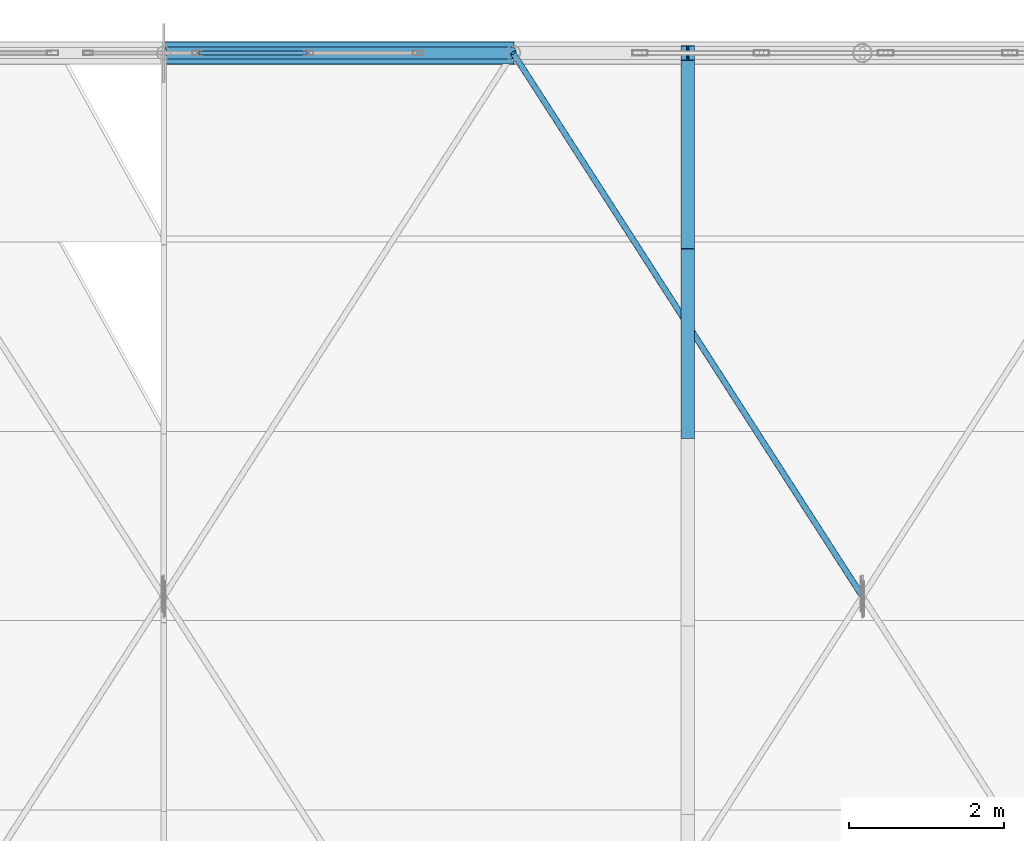
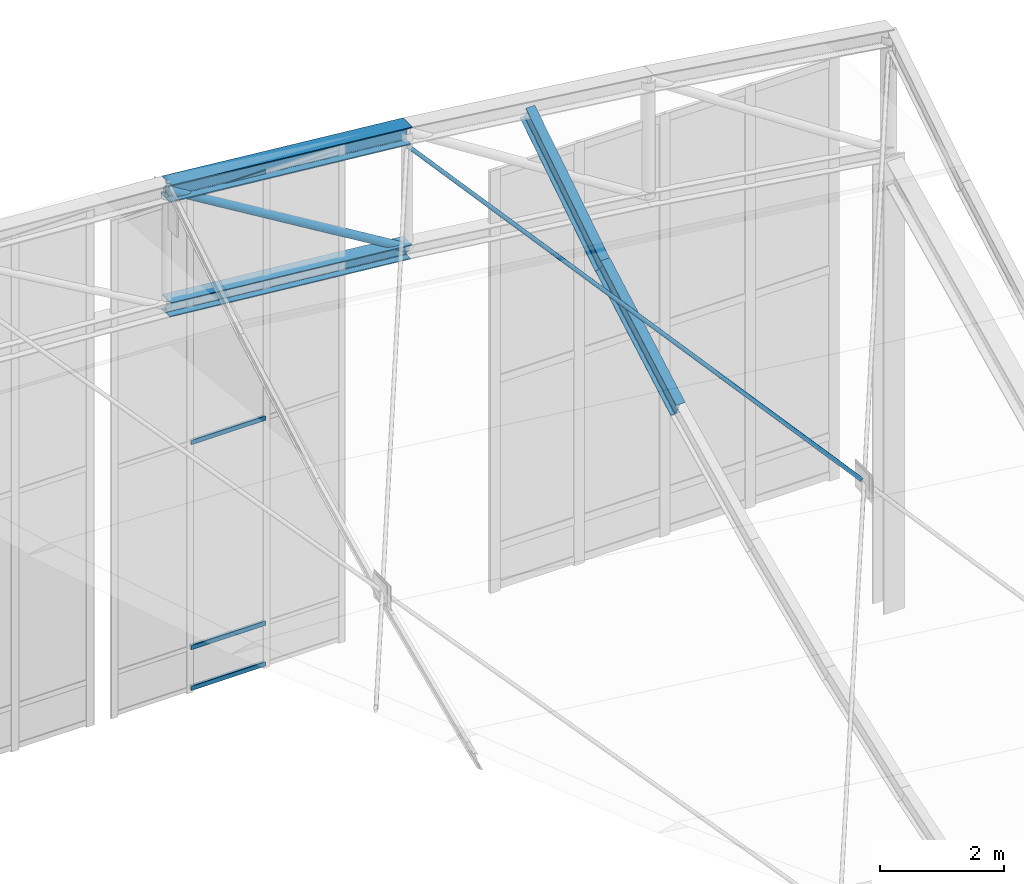
# One storey, part 214 of 262: 10 members, 1 element without a shape of its own.
"""IFC4 building model written with IfcOpenShell, lengths in metres."""

import ifcopenshell
import ifcopenshell.guid

model = None  # the IFC model being written
_history = None  # IfcOwnerHistory: only IFC2X3 demands one
_inside = {}  # id of a spatial element -> (the spatial element, [elements in it])
_under = {}  # id of a project, library or spatial element -> (it, [spatial elements below it])
_declared = {}  # id of a project -> (the project, [libraries it declares])
_typed = {}  # id of a type object -> (the type object, [elements of that type])
_made_of = {}  # id of a material, layer set ... -> (it, [elements and type objects made of it])


def new_model(schema):
    """Start an empty IFC model of exactly this schema.

    Asked for "IFC4X3", IfcOpenShell would pick the latest addendum, in which some entities
    have other attributes; the version numbers below select the first issue.
    IFC2X3 requires an IfcOwnerHistory on every rooted entity: one is made here for all.
    """
    global model, _history
    if schema == "IFC4X3":
        model = ifcopenshell.file(schema_version=(4, 3, 0, 0))
    else:
        model = ifcopenshell.file(schema=schema)
    _inside.clear()
    _under.clear()
    _declared.clear()
    _typed.clear()
    _made_of.clear()
    _history = None
    if model.schema == "IFC2X3":
        org = make("IfcOrganization", Name="unknown")
        user = make(
            "IfcPersonAndOrganization",
            ThePerson=make("IfcPerson", FamilyName="unknown"),
            TheOrganization=org,
        )
        app = make(
            "IfcApplication",
            ApplicationDeveloper=org,
            Version="unknown",
            ApplicationFullName="unknown",
            ApplicationIdentifier="unknown",
        )
        _history = make(
            "IfcOwnerHistory",
            OwningUser=user,
            OwningApplication=app,
            ChangeAction="ADDED",
            CreationDate=0,
        )
    return model


def make(cls, **values):
    """One entity of the class cls with the attributes given. An attribute that is None is left unset."""
    return model.create_entity(
        cls, **{name: value for name, value in values.items() if value is not None}
    )


def rooted(cls, **values):
    """An entity with a GlobalId (a new one), such as an element, a storey or a relation."""
    return make(cls, GlobalId=ifcopenshell.guid.new(), OwnerHistory=_history, **values)


def si_unit(unit_type, name, prefix=None):
    """IfcSIUnit, for example si_unit("LENGTHUNIT", "METRE", prefix="MILLI")."""
    return make("IfcSIUnit", UnitType=unit_type, Prefix=prefix, Name=name)


def derived_unit(unit_type, elements):
    """IfcDerivedUnit: a product of units, each with its exponent."""
    return make(
        "IfcDerivedUnit",
        Elements=[
            make("IfcDerivedUnitElement", Unit=unit, Exponent=power)
            for unit, power in elements
        ],
        UnitType=unit_type,
    )


def assignment(units):
    """IfcUnitAssignment: the units of a project."""
    return None if units is None else make("IfcUnitAssignment", Units=units)


def point(xyz):
    """IfcCartesianPoint."""
    return None if xyz is None else make("IfcCartesianPoint", Coordinates=xyz)


def direction(xyz):
    """IfcDirection."""
    return None if xyz is None else make("IfcDirection", DirectionRatios=xyz)


def frame(location, z_axis=None, x_axis=None):
    """IfcAxis2Placement3D, a coordinate frame: its origin and axes. An axis left out is left unset."""
    return make(
        "IfcAxis2Placement3D",
        Location=point(location),
        Axis=direction(z_axis),
        RefDirection=direction(x_axis),
    )


def frame_2d(location, x_axis=None):
    """IfcAxis2Placement2D, a coordinate frame in the plane: its origin and x axis."""
    return make(
        "IfcAxis2Placement2D", Location=point(location), RefDirection=direction(x_axis)
    )


def origin():
    """The frame at (0, 0, 0) with its axes left unset."""
    return frame((0.0, 0.0, 0.0))


def origin_2d():
    """The frame at (0, 0) in the plane with its x axis left unset."""
    return frame_2d((0.0, 0.0))


def place(relative_to, where):
    """IfcLocalPlacement: puts the frame where relative to a parent placement (None: the world)."""
    return make(
        "IfcLocalPlacement", PlacementRelTo=relative_to, RelativePlacement=where
    )


def context(
    kind, dimensions, precision=None, world=None, true_north=None, identifier=None
):
    """IfcGeometricRepresentationContext, for example the 3D "Model" context."""
    return make(
        "IfcGeometricRepresentationContext",
        ContextIdentifier=identifier,
        ContextType=kind,
        CoordinateSpaceDimension=dimensions,
        Precision=precision,
        WorldCoordinateSystem=world,
        TrueNorth=true_north,
    )


def subcontext(parent, identifier, kind, view, scale=None):
    """IfcGeometricRepresentationSubContext, for example "Body" below "Model"."""
    return make(
        "IfcGeometricRepresentationSubContext",
        ContextIdentifier=identifier,
        ContextType=kind,
        ParentContext=parent,
        TargetScale=scale,
        TargetView=view,
    )


def project(units=None, contexts=None):
    """IfcProject with its units and contexts."""
    return rooted(
        "IfcProject",
        Name="project",
        RepresentationContexts=contexts,
        UnitsInContext=assignment(units),
    )


def spatial(cls, under=None, at=None, **own):
    """A site, building, storey or space (cls), placed at a placement, below another one or the project."""
    s = rooted(cls, ObjectPlacement=at, **own)
    if under is not None:
        _under.setdefault(under.id(), (under, []))[1].append(s)
    return s


def profile(cls, at=None, kind="AREA", **sizes):
    """A parametric profile (cls). Its sizes go by their IFC names, for example OverallWidth=200.0."""
    return make(cls, ProfileType=kind, Position=at, **sizes)


def hollow_rectangle(**sizes):
    """IfcRectangleHollowProfileDef."""
    return profile("IfcRectangleHollowProfileDef", **sizes)


def hollow_circle(**sizes):
    """IfcCircleHollowProfileDef."""
    return profile("IfcCircleHollowProfileDef", **sizes)


def i_section(**sizes):
    """IfcIShapeProfileDef."""
    return profile("IfcIShapeProfileDef", **sizes)


def extrude(swept, where, along, depth):
    """IfcExtrudedAreaSolid: the profile swept, set in the frame where, extruded along a direction by depth."""
    return make(
        "IfcExtrudedAreaSolid",
        SweptArea=swept,
        Position=where,
        ExtrudedDirection=direction(along),
        Depth=depth,
    )


def shape(context_of_items, identifier, shape_type, items):
    """IfcShapeRepresentation: the items that make up one representation, for example the "Body"."""
    return make(
        "IfcShapeRepresentation",
        ContextOfItems=context_of_items,
        RepresentationIdentifier=identifier,
        RepresentationType=shape_type,
        Items=items,
    )


def material(Name=None, Category=None):
    """IfcMaterial."""
    return make("IfcMaterial", Name=Name, Category=Category)


def layer(
    of_material, thickness, ventilated=None, Name=None, Category=None, Priority=None
):
    """IfcMaterialLayer: one layer of a wall or slab, of a material (None: an air gap)."""
    return make(
        "IfcMaterialLayer",
        Material=of_material,
        LayerThickness=thickness,
        IsVentilated=ventilated,
        Name=Name,
        Category=Category,
        Priority=Priority,
    )


def layer_set(layers, Name=None):
    """IfcMaterialLayerSet."""
    return make("IfcMaterialLayerSet", MaterialLayers=layers, LayerSetName=Name)


def material_profile(
    of_material, cross_section, Name=None, Category=None, Priority=None
):
    """IfcMaterialProfile: a cross section and its material."""
    return make(
        "IfcMaterialProfile",
        Name=Name,
        Material=of_material,
        Profile=cross_section,
        Priority=Priority,
        Category=Category,
    )


def profile_set(profiles, Name=None, composite=None):
    """IfcMaterialProfileSet."""
    return make(
        "IfcMaterialProfileSet",
        Name=Name,
        MaterialProfiles=profiles,
        CompositeProfile=composite,
    )


def made_of(thing, what):
    """Note that an element or type object is made of a material, layer set ...; save() writes the relation."""
    if what is not None:
        _made_of.setdefault(what.id(), (what, []))[1].append(thing)
    return thing


def type_object(cls, material=None, **own):
    """A type object (cls), such as IfcWallType, which elements share."""
    return made_of(rooted(cls, **own), material)


def element(
    cls,
    number,
    at=None,
    inside=None,
    cuts=None,
    type_object=None,
    material=None,
    context=None,
    identifier="Body",
    shape_type=None,
    held_by="IfcProductDefinitionShape",
    body=None,
    shapes=None,
    **own,
):
    """One element of the class cls, such as IfcWall. Its Tag is "e" and its number.

    at: its placement. inside: the storey or other place that contains it. cuts: it is an
    opening in that element (IfcRelVoidsElement). A single representation is given by context,
    identifier, shape_type and body (its items); several are given by shapes. held_by: the class
    of the entity that holds the representations. save() writes the other relations.
    """
    e = rooted(cls, Tag="e%d" % number, ObjectPlacement=at, **own)
    if body is not None:
        shapes = [shape(context, identifier, shape_type, body)]
    if shapes is not None:
        e.Representation = make(held_by, Representations=shapes)
    if inside is not None:
        _inside.setdefault(inside.id(), (inside, []))[1].append(e)
    if cuts is not None:
        rooted(
            "IfcRelVoidsElement", RelatingBuildingElement=cuts, RelatedOpeningElement=e
        )
    if type_object is not None:
        _typed.setdefault(type_object.id(), (type_object, []))[1].append(e)
    return made_of(e, material)


def aggregate(whole, parts):
    """IfcRelAggregates: a whole, such as a stair, and the parts it consists of."""
    return rooted("IfcRelAggregates", RelatingObject=whole, RelatedObjects=parts)


def save(model, path):
    """Write the relations noted so far, then the file.

    IfcRelAggregates (storeys below a building ...), IfcRelContainedInSpatialStructure (elements
    in a storey), IfcRelDefinesByType, IfcRelAssociatesMaterial and IfcRelDeclares: one each for
    every whole, place, type object, material and project.
    """
    for whole, parts in _under.values():
        aggregate(whole, parts)
    for where, things in _inside.values():
        rooted(
            "IfcRelContainedInSpatialStructure",
            RelatedElements=things,
            RelatingStructure=where,
        )
    for kind, things in _typed.values():
        rooted("IfcRelDefinesByType", RelatedObjects=things, RelatingType=kind)
    for what, things in _made_of.values():
        rooted("IfcRelAssociatesMaterial", RelatedObjects=things, RelatingMaterial=what)
    for by, libraries in _declared.values():
        rooted("IfcRelDeclares", RelatingContext=by, RelatedDefinitions=libraries)
    model.write(path)


model = new_model("IFC4")

# Units and contexts
model_context = context("Model", 3, precision=1e-05, world=origin(), true_north=direction((0.0, 1.0)))
body_context = subcontext(model_context, "Body", "Model", "MODEL_VIEW")
ifc_project = project(units=[si_unit("LENGTHUNIT", "METRE"), si_unit("AREAUNIT", "SQUARE_METRE"), si_unit("VOLUMEUNIT", "CUBIC_METRE"), si_unit("PLANEANGLEUNIT", "RADIAN"), si_unit("MASSUNIT", "GRAM", prefix="KILO"), derived_unit("THERMALTRANSMITTANCEUNIT", [(si_unit("POWERUNIT", "WATT"), 1), (si_unit("LENGTHUNIT", "METRE"), -2), (si_unit("THERMODYNAMICTEMPERATUREUNIT", "KELVIN"), -1)])], contexts=[model_context])

# Site, building, storey
site_placement = place(None, origin())
site = spatial("IfcSite", under=ifc_project, at=site_placement, CompositionType="ELEMENT")
building_placement = place(site_placement, origin())
building = spatial("IfcBuilding", under=site, at=building_placement, Name="Almenara Railside Exhibition Hall", CompositionType="ELEMENT")
storey_placement = place(building_placement, frame((0.0, 0.0, 21.699951171875)))
storey = spatial("IfcBuildingStorey", under=building, at=storey_placement, Name="RF", CompositionType="ELEMENT", Elevation=21.699951171875)

# Members
ifc_material_1 = material(Name="Structural steel S355JR", Category="steel")
ifc_material_profile_1 = material_profile(ifc_material_1, i_section(OverallWidth=0.280029296875, OverallDepth=0.280029296875, WebThickness=0.010498046875, FlangeThickness=0.01806640625, FilletRadius=0.02392578125, at=origin_2d()), Name="HEB 280")
ifc_profile_set_1 = profile_set([ifc_material_profile_1], Name="Structural steel S355JR")
member_type_1 = type_object("IfcMemberType", Name="Arched Gable Bottom Chord HEB 280 S355JR", PredefinedType="CHORD", material=ifc_profile_set_1)
member_1_placement = place(storey_placement, frame((178.5, 132.0, 1.050048828125), z_axis=(0.995512933083, 0.0, -0.094625578275), x_axis=(0.0, 1.0, 0.0)))
element("IfcMember", 1, at=member_1_placement, inside=storey, type_object=member_type_1, Name="MEM-BC-V2-07-09", PredefinedType="CHORD", context=body_context, shape_type="SweptSolid", body=[
    extrude(i_section(OverallWidth=0.280029296875, OverallDepth=0.280029296875, WebThickness=0.010498046875, FlangeThickness=0.01806640625, FilletRadius=0.02392578125, at=origin_2d()), origin(), (0.0, 0.0, 1.0), 4.520263671875),
])
ifc_material_profile_2 = material_profile(ifc_material_1, i_section(OverallWidth=0.300048828125, OverallDepth=0.340087890625, WebThickness=0.011962890625, FlangeThickness=0.021484375, FilletRadius=0.027099609375, at=origin_2d()), Name="HEB 340")
ifc_profile_set_2 = profile_set([ifc_material_profile_2], Name="Structural steel S355JR")
member_type_2 = type_object("IfcMemberType", Name="Arched Gable Top Chord HEB 340 S355JR", PredefinedType="CHORD", material=ifc_profile_set_2)
member_2_placement = place(storey_placement, frame((178.5, 132.0, 3.35009765625), z_axis=(0.995512933083, 0.0, -0.094625578275), x_axis=(0.0, 1.0, 0.0)))
element("IfcMember", 2, at=member_2_placement, inside=storey, type_object=member_type_2, Name="MEM-TC-V2-07-09", PredefinedType="CHORD", context=body_context, shape_type="SweptSolid", body=[
    extrude(i_section(OverallWidth=0.300048828125, OverallDepth=0.340087890625, WebThickness=0.011962890625, FlangeThickness=0.021484375, FilletRadius=0.027099609375, at=origin_2d()), origin(), (0.0, 0.0, 1.0), 4.520263671875),
])

# Curtain wall, members
ifc_material_2 = material(Name="Bronze-anodised aluminium and low-E double glazing", Category="aluminium")
ifc_layer = layer(ifc_material_2, 0.179931640625, Name="Bronze-anodised aluminium and low-E double glazing")
ifc_layer_set = layer_set([ifc_layer], Name="Bronze-anodised aluminium and low-E double glazing")
curtain_wall_type = type_object("IfcCurtainWallType", Name="Scroll Gable Tall Curtain Wall 3800x5400", PredefinedType="NOTDEFINED", material=ifc_layer_set)
curtain_wall_placement = place(storey_placement, origin())
curtain_wall = element("IfcCurtainWall", 3, at=curtain_wall_placement, inside=storey, type_object=curtain_wall_type, Name="Curtain wall CW-G1-231", PredefinedType="NOTDEFINED")
ifc_material_3 = material(Name="Bronze-anodised aluminium", Category="aluminium")
ifc_material_profile_3 = material_profile(ifc_material_3, hollow_rectangle(XDim=0.054931640625, YDim=0.090087890625, WallThickness=0.0029296875, InnerFilletRadius=0.0029296875, OuterFilletRadius=0.006103515625, at=origin_2d()), Name="ALU-TRN 55x90x3")
ifc_profile_set_3 = profile_set([ifc_material_profile_3], Name="Bronze-anodised aluminium")
member_type_3 = type_object("IfcMemberType", Name="Curtain Wall Transom 55x90x3", PredefinedType="USERDEFINED", material=ifc_profile_set_3)
member_3_placement = place(storey_placement, frame((178.952880859375, 132.0, -6.655029296875), z_axis=(1.0, 0.0, 0.0), x_axis=(0.0, 1.0, 0.0)))
member_3 = element("IfcMember", 4, at=member_3_placement, type_object=member_type_3, Name="CW-G1-231 transom 2.1", ObjectType="TRANSOM", PredefinedType="USERDEFINED", context=body_context, shape_type="SweptSolid", body=[
    extrude(hollow_rectangle(XDim=0.054931640625, YDim=0.090087890625, WallThickness=0.0029296875, InnerFilletRadius=0.0029296875, OuterFilletRadius=0.006103515625, at=origin_2d()), origin(), (0.0, 0.0, 1.0), 1.394287109375),
])
member_4_placement = place(storey_placement, frame((178.952880859375, 132.0, -5.849853515625), z_axis=(1.0, 0.0, 0.0), x_axis=(0.0, 1.0, 0.0)))
member_4 = element("IfcMember", 5, at=member_4_placement, type_object=member_type_3, Name="CW-G1-231 transom 2.2", ObjectType="TRANSOM", PredefinedType="USERDEFINED", context=body_context, shape_type="SweptSolid", body=[
    extrude(hollow_rectangle(XDim=0.054931640625, YDim=0.090087890625, WallThickness=0.0029296875, InnerFilletRadius=0.0029296875, OuterFilletRadius=0.006103515625, at=origin_2d()), origin(), (0.0, 0.0, 1.0), 1.394287109375),
])
member_5_placement = place(storey_placement, frame((178.952880859375, 132.0, -1.800048828125), z_axis=(1.0, 0.0, 0.0), x_axis=(0.0, 1.0, 0.0)))
member_5 = element("IfcMember", 6, at=member_5_placement, type_object=member_type_3, Name="CW-G1-231 transom 2.3", ObjectType="TRANSOM", PredefinedType="USERDEFINED", context=body_context, shape_type="SweptSolid", body=[
    extrude(hollow_rectangle(XDim=0.054931640625, YDim=0.090087890625, WallThickness=0.0029296875, InnerFilletRadius=0.0029296875, OuterFilletRadius=0.006103515625, at=origin_2d()), origin(), (0.0, 0.0, 1.0), 1.394287109375),
])
member_6_placement = place(storey_placement, frame((178.952880859375, 132.0, 3.054931640625), z_axis=(1.0, 0.0, 0.0), x_axis=(0.0, 1.0, 0.0)))
member_6 = element("IfcMember", 7, at=member_6_placement, type_object=member_type_3, Name="CW-G1-231 transom 2.4", ObjectType="TRANSOM", PredefinedType="USERDEFINED", context=body_context, shape_type="SweptSolid", body=[
    extrude(hollow_rectangle(XDim=0.054931640625, YDim=0.090087890625, WallThickness=0.0029296875, InnerFilletRadius=0.0029296875, OuterFilletRadius=0.006103515625, at=origin_2d()), origin(), (0.0, 0.0, 1.0), 1.394287109375),
])
aggregate(curtain_wall, [member_3, member_4, member_5, member_6])

# Members
ifc_material_profile_4 = material_profile(ifc_material_1, hollow_circle(Radius=0.0380859375, WallThickness=0.003662109375, at=origin_2d()), Name="CHS 76.1x3.6")
ifc_profile_set_4 = profile_set([ifc_material_profile_4], Name="Structural steel S355JR")
member_type_4 = type_object("IfcMemberType", Name="Lantern Cross-Tie Brace CHS 76.1x3.6 S355JR", PredefinedType="BRACE", material=ifc_profile_set_4)
member_7_placement = place(storey_placement, frame((187.4794921875, 125.031982421875, -1.30908203125), z_axis=(-0.488076777734, 0.759221676112, 0.430538622609), x_axis=(-0.841175602591, -0.540762060066, 0.0)))
element("IfcMember", 8, at=member_7_placement, inside=storey, type_object=member_type_4, Name="MEM-WB-V2-WB-CHS76-06-10-S2", PredefinedType="BRACE", context=body_context, shape_type="SweptSolid", body=[
    extrude(hollow_circle(Radius=0.0380859375, WallThickness=0.003662109375, at=origin_2d()), origin(), (0.0, 0.0, 1.0), 9.177734375),
])
ifc_material_profile_5 = material_profile(ifc_material_1, i_section(OverallWidth=0.169921875, OverallDepth=0.360107421875, WebThickness=0.008056640625, FlangeThickness=0.0126953125, FilletRadius=0.01806640625, at=origin_2d()), Name="IPE 360")
ifc_profile_set_5 = profile_set([ifc_material_profile_5], Name="Structural steel S355JR")
member_type_5 = type_object("IfcMemberType", Name="Long-Span Scroll Purlin IPE 360 S355JR", PredefinedType="PURLIN", material=ifc_profile_set_5)
member_8_placement = place(storey_placement, frame((185.25, 127.126708984375, -0.397705078125), z_axis=(0.0, 0.870483227181, 0.492198081261), x_axis=(-1.0, 0.0, 0.0)))
element("IfcMember", 9, at=member_8_placement, inside=storey, type_object=member_type_5, Name="MEM-PR-V2-PR-IPE360-07-26", PredefinedType="PURLIN", context=body_context, shape_type="SweptSolid", body=[
    extrude(i_section(OverallWidth=0.169921875, OverallDepth=0.360107421875, WebThickness=0.008056640625, FlangeThickness=0.0126953125, FilletRadius=0.01806640625, at=origin_2d()), origin(), (0.0, 0.0, 1.0), 2.799072265625),
])
member_9_placement = place(storey_placement, frame((185.25, 129.563232421875, 0.966064453125), z_axis=(0.0, 0.842226955435, 0.539123135785), x_axis=(-1.0, 0.0, 0.0)))
element("IfcMember", 10, at=member_9_placement, inside=storey, type_object=member_type_5, Name="MEM-PR-V2-PR-IPE360-07-27", PredefinedType="PURLIN", context=body_context, shape_type="SweptSolid", body=[
    extrude(i_section(OverallWidth=0.169921875, OverallDepth=0.360107421875, WebThickness=0.008056640625, FlangeThickness=0.0126953125, FilletRadius=0.01806640625, at=origin_2d()), origin(), (0.0, 0.0, 1.0), 2.893310546875),
])
ifc_material_profile_6 = material_profile(ifc_material_1, hollow_circle(Radius=0.076171875, WallThickness=0.0048828125, at=origin_2d()), Name="CHS 152.4x5")
ifc_profile_set_6 = profile_set([ifc_material_profile_6], Name="Structural steel S355JR")
member_type_6 = type_object("IfcMemberType", Name="Truss Mid Diagonal CHS 152.4x5 S355JR", PredefinedType="BRACE", material=ifc_profile_set_6)
member_10_placement = place(storey_placement, frame((178.5, 132.0, 3.35009765625), z_axis=(0.855154829777, 0.0, -0.518372662386), x_axis=(0.0, 1.0, 0.0)))
element("IfcMember", 11, at=member_10_placement, inside=storey, type_object=member_type_6, Name="MEM-TD-V2-07-09", PredefinedType="BRACE", context=body_context, shape_type="SweptSolid", body=[
    extrude(hollow_circle(Radius=0.076171875, WallThickness=0.0048828125, at=origin_2d()), origin(), (0.0, 0.0, 1.0), 5.26220703125),
])

save(model, "model.ifc")
